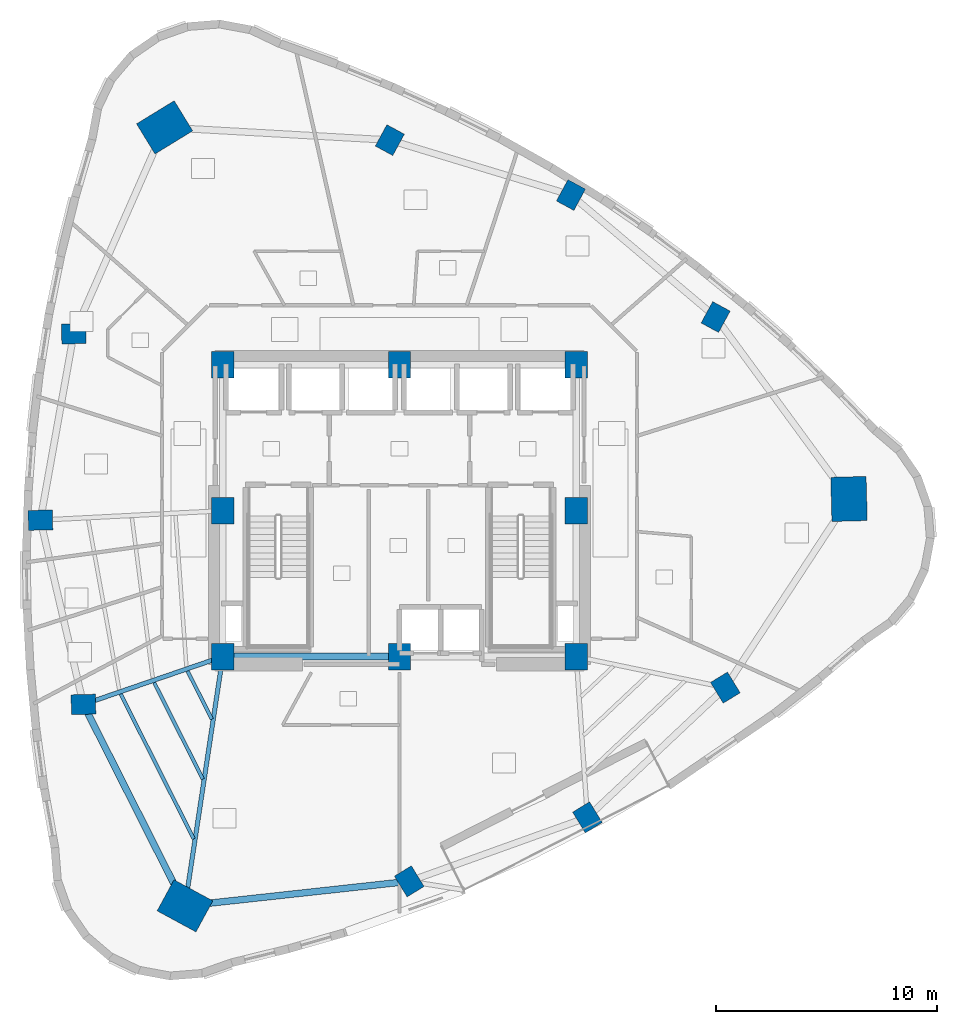
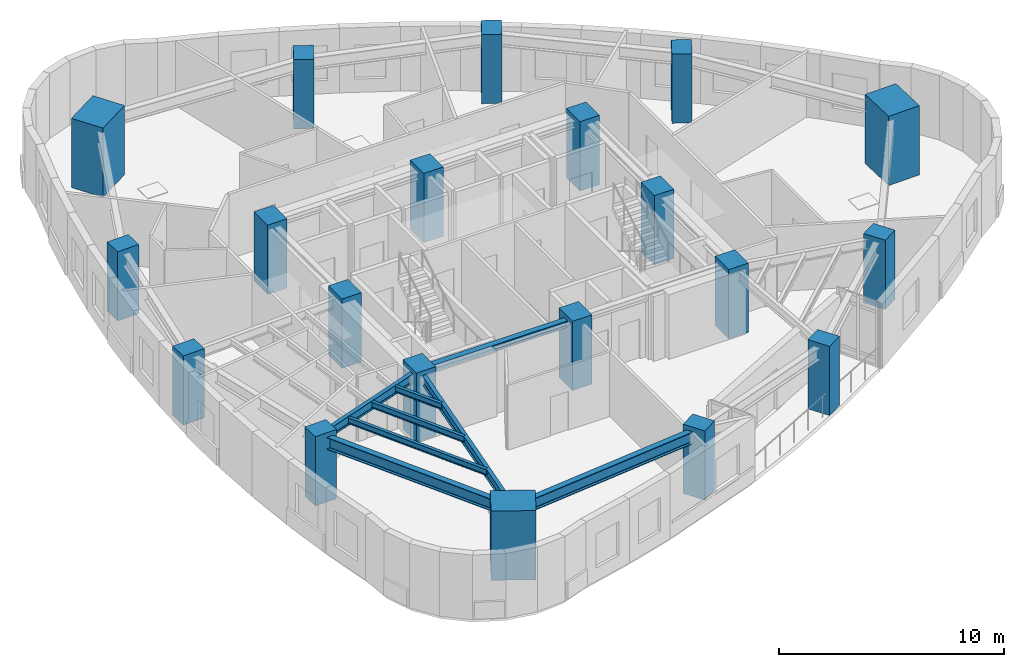
# One storey, part 1 of 11: 20 columns, 8 beams.
"""IFC4 building model written with IfcOpenShell, lengths in metres."""

from ifc_helpers import new_model, si_unit, direction, frame, origin, origin_2d, place, context, subcontext, project, spatial, rectangle, i_section, extrude, material, material_profile, profile_set, type_object, element, save


model = new_model("IFC4")

# Units and contexts
model_context = context("Model", 3, precision=1e-05, world=origin(), true_north=direction((0.0, 1.0)))
body_context = subcontext(model_context, "Body", "Model", "MODEL_VIEW")
ifc_project = project(units=[si_unit("LENGTHUNIT", "METRE"), si_unit("AREAUNIT", "SQUARE_METRE"), si_unit("VOLUMEUNIT", "CUBIC_METRE"), si_unit("PLANEANGLEUNIT", "RADIAN"), si_unit("MASSUNIT", "GRAM", prefix="KILO")], contexts=[model_context])

# Site, building, storey
site_placement = place(None, origin())
site = spatial("IfcSite", under=ifc_project, at=site_placement, CompositionType="ELEMENT")
building_placement = place(site_placement, origin())
building = spatial("IfcBuilding", under=site, at=building_placement, Name="Ndelora Gate Hotel", CompositionType="ELEMENT")
storey_placement = place(building_placement, frame((0.0, 0.0, 116.0)))
storey = spatial("IfcBuildingStorey", under=building, at=storey_placement, Name="L28", CompositionType="ELEMENT", Elevation=116.0)

# Columns
ifc_material_1 = material(Name="Concrete C60/75", Category="concrete")
ifc_material_profile_1 = material_profile(ifc_material_1, rectangle(XDim=1.0, YDim=1.199951171875, at=origin_2d()), Name="RC 1200x1000")
ifc_profile_set_1 = profile_set([ifc_material_profile_1], Name="Concrete C60/75")
column_type_1 = type_object("IfcColumnType", Name="COL-CC-MID", PredefinedType="COLUMN", material=ifc_profile_set_1)
for number, where, z_axis, x_axis, name in (
    (1, (-8.0, -6.60009765625, 0.0), (0.0, 0.0, 1.0), (1.0, 0.0, 0.0), "L28 Core Column CC1"),
    (2, (0.0, -6.60009765625, 0.0), (0.0, 0.0, 1.0), (1.0, 0.0, 0.0), "L28 Core Column CC2"),
    (3, (8.0, -6.60009765625, 0.0), (0.0, 0.0, 1.0), (1.0, 0.0, 0.0), "L28 Core Column CC3"),
    (4, (8.0, 0.0, 0.0), (0.0, 0.0, 1.0), (1.0, 0.0, 0.0), "L28 Core Column CC4"),
    (5, (8.0, 6.60009765625, 0.0), (0.0, 0.0, 1.0), (1.0, 0.0, 0.0), "L28 Core Column CC5"),
    (6, (0.0, 6.60009765625, 0.0), (0.0, 0.0, 1.0), (1.0, 0.0, 0.0), "L28 Core Column CC6"),
    (7, (-8.0, 6.60009765625, 0.0), (0.0, 0.0, 1.0), (1.0, 0.0, 0.0), "L28 Core Column CC7"),
    (8, (-8.0, 0.0, 0.0), (0.0, 0.0, 1.0), (1.0, 0.0, 0.0), "L28 Core Column CC8"),
):
    element("IfcColumn", number, at=place(storey_placement, frame(where, z_axis=z_axis, x_axis=x_axis)), inside=storey, type_object=column_type_1, Name=name, PredefinedType="COLUMN", context=body_context, shape_type="SweptSolid", body=[
        extrude(rectangle(XDim=1.0, YDim=1.199951171875, at=origin_2d()), origin(), (0.0, 0.0, 1.0), 3.75),
    ])
ifc_material_profile_2 = material_profile(ifc_material_1, rectangle(XDim=1.60009765625, YDim=2.0, at=origin_2d()), Name="RC 2000x1600")
ifc_profile_set_2 = profile_set([ifc_material_profile_2], Name="Concrete C60/75")
column_type_2 = type_object("IfcColumnType", Name="COL-MC-Z2", PredefinedType="COLUMN", material=ifc_profile_set_2)
for number, where, z_axis, x_axis, name in (
    (9, (-10.63330078125, 17.351806640625, 0.0), (0.0, 0.0, 1.0), (-0.522498564716, 0.852640164354, 0.0), "L28 Corner Mega-Column R1"),
    (10, (-9.71044921875, -17.884521484375, 0.0), (0.0, 0.0, 1.0), (0.47715876026, 0.878817112662, 0.0), "L28 Corner Mega-Column R5"),
    (11, (20.34375, 0.53271484375, 0.0), (0.0, 0.0, 1.0), (0.999657324976, 0.026176948308, 0.0), "L28 Corner Mega-Column R9"),
):
    element("IfcColumn", number, at=place(storey_placement, frame(where, z_axis=z_axis, x_axis=x_axis)), inside=storey, type_object=column_type_2, Name=name, PredefinedType="COLUMN", context=body_context, shape_type="SweptSolid", body=[
        extrude(rectangle(XDim=1.60009765625, YDim=2.0, at=origin_2d()), origin(), (0.0, 0.0, 1.0), 3.75),
    ])
ifc_material_profile_3 = material_profile(ifc_material_1, rectangle(XDim=0.89990234375, YDim=1.10009765625, at=origin_2d()), Name="RC 1100x900")
ifc_profile_set_3 = profile_set([ifc_material_profile_3], Name="Concrete C60/75")
column_type_3 = type_object("IfcColumnType", Name="COL-PT-Z2", PredefinedType="COLUMN", material=ifc_profile_set_3)
for number, where, z_axis, x_axis, name in (
    (12, (-14.74658203125, 8.006591796875, 0.0), (0.0, 0.0, 1.0), (-0.026176948308, 0.999657324976, 0.0), "L28 Perimeter Tube Column R2"),
    (13, (-16.25537109375, -0.42578125, 0.0), (0.0, 0.0, 1.0), (-0.026176948308, 0.999657324976, 0.0), "L28 Perimeter Tube Column R3"),
    (14, (-14.307373046875, -8.767578125, 0.0), (0.0, 0.0, 1.0), (-0.026176948308, 0.999657324976, 0.0), "L28 Perimeter Tube Column R4"),
    (15, (0.439208984375, -16.7744140625, 0.0), (0.0, 0.0, 1.0), (0.852640164354, 0.522498564716, 0.0), "L28 Perimeter Tube Column R6"),
    (16, (8.50439453125, -13.878173828125, 0.0), (0.0, 0.0, 1.0), (0.852640164354, 0.522498564716, 0.0), "L28 Perimeter Tube Column R7"),
    (17, (14.74658203125, -8.006591796875, 0.0), (0.0, 0.0, 1.0), (0.852640164354, 0.522498564716, 0.0), "L28 Perimeter Tube Column R8"),
    (18, (14.30712890625, 8.767333984375, 0.0), (0.0, 0.0, 1.0), (-0.878817112662, 0.47715876026, 0.0), "L28 Perimeter Tube Column R10"),
    (19, (7.759033203125, 14.290283203125, 0.0), (0.0, 0.0, 1.0), (-0.878817112662, 0.47715876026, 0.0), "L28 Perimeter Tube Column R11"),
    (20, (-0.439208984375, 16.7744140625, 0.0), (0.0, 0.0, 1.0), (-0.878817112662, 0.47715876026, 0.0), "L28 Perimeter Tube Column R12"),
):
    element("IfcColumn", number, at=place(storey_placement, frame(where, z_axis=z_axis, x_axis=x_axis)), inside=storey, type_object=column_type_3, Name=name, PredefinedType="COLUMN", context=body_context, shape_type="SweptSolid", body=[
        extrude(rectangle(XDim=0.89990234375, YDim=1.10009765625, at=origin_2d()), origin(), (0.0, 0.0, 1.0), 3.75),
    ])

# Beams
ifc_material_2 = material(Name="Steel S355", Category="steel")
ifc_material_profile_4 = material_profile(ifc_material_2, i_section(OverallWidth=0.300048828125, OverallDepth=0.360107421875, WebThickness=0.012451171875, FlangeThickness=0.0224609375, FilletRadius=0.027099609375, at=origin_2d()), Name="HEB 360")
ifc_profile_set_4 = profile_set([ifc_material_profile_4], Name="Steel S355")
beam_type_1 = type_object("IfcBeamType", Name="BM-CORE-360", PredefinedType="BEAM", material=ifc_profile_set_4)
beam_1_placement = place(storey_placement, frame((-8.0, -6.60009765625, 3.320068359375), z_axis=(1.0, 0.0, 0.0), x_axis=(0.0, 1.0, 0.0)))
element("IfcBeam", 21, at=beam_1_placement, inside=storey, type_object=beam_type_1, Name="L28 Core Tie Girder CC1-CC2", PredefinedType="BEAM", context=body_context, shape_type="SweptSolid", body=[
    extrude(i_section(OverallWidth=0.300048828125, OverallDepth=0.360107421875, WebThickness=0.012451171875, FlangeThickness=0.0224609375, FilletRadius=0.027099609375, at=origin_2d()), origin(), (0.0, 0.0, 1.0), 8.0),
])
ifc_material_profile_5 = material_profile(ifc_material_2, i_section(OverallWidth=0.159912109375, OverallDepth=0.330078125, WebThickness=0.007568359375, FlangeThickness=0.011474609375, FilletRadius=0.01806640625, at=origin_2d()), Name="IPE 330")
ifc_profile_set_5 = profile_set([ifc_material_profile_5], Name="Steel S355")
beam_type_2 = type_object("IfcBeamType", Name="BM-JST-330", PredefinedType="JOIST", material=ifc_profile_set_5)
beam_2_placement = place(storey_placement, frame((-9.59033203125, -7.26171875, 3.3349609375), z_axis=(0.450139260243, -0.892958367668, 0.0), x_axis=(0.892958367668, 0.450139260243, 0.0)))
element("IfcBeam", 22, at=beam_2_placement, inside=storey, type_object=beam_type_2, Name="L28 Secondary Composite Floor Joist IN-4", PredefinedType="JOIST", context=body_context, shape_type="SweptSolid", body=[
    extrude(i_section(OverallWidth=0.159912109375, OverallDepth=0.330078125, WebThickness=0.007568359375, FlangeThickness=0.011474609375, FilletRadius=0.01806640625, at=origin_2d()), origin(), (0.0, 0.0, 1.0), 2.4345703125),
])
beam_3_placement = place(storey_placement, frame((-11.10400390625, -7.781982421875, 3.3349609375), z_axis=(0.450189724408, -0.892932926953, 0.0), x_axis=(0.892932926953, 0.450189724408, 0.0)))
element("IfcBeam", 23, at=beam_3_placement, inside=storey, type_object=beam_type_2, Name="L28 Secondary Composite Floor Joist MID-4", PredefinedType="JOIST", context=body_context, shape_type="SweptSolid", body=[
    extrude(i_section(OverallWidth=0.159912109375, OverallDepth=0.330078125, WebThickness=0.007568359375, FlangeThickness=0.011474609375, FilletRadius=0.01806640625, at=origin_2d()), origin(), (0.0, 0.0, 1.0), 4.885009765625),
])
beam_4_placement = place(storey_placement, frame((-12.617919921875, -8.30224609375, 3.3349609375), z_axis=(0.45023300903, -0.892911102843, 0.0), x_axis=(0.892911102843, 0.45023300903, 0.0)))
element("IfcBeam", 24, at=beam_4_placement, inside=storey, type_object=beam_type_2, Name="L28 Secondary Composite Floor Joist OUT-4", PredefinedType="JOIST", context=body_context, shape_type="SweptSolid", body=[
    extrude(i_section(OverallWidth=0.159912109375, OverallDepth=0.330078125, WebThickness=0.007568359375, FlangeThickness=0.011474609375, FilletRadius=0.01806640625, at=origin_2d()), origin(), (0.0, 0.0, 1.0), 7.335693359375),
])
ifc_material_profile_6 = material_profile(ifc_material_2, i_section(OverallWidth=0.199951171875, OverallDepth=0.5, WebThickness=0.01025390625, FlangeThickness=0.01611328125, FilletRadius=0.02099609375, at=origin_2d()), Name="IPE 500")
ifc_profile_set_6 = profile_set([ifc_material_profile_6], Name="Steel S355")
beam_type_3 = type_object("IfcBeamType", Name="BM-RAD-500", PredefinedType="BEAM", material=ifc_profile_set_6)
beam_5_placement = place(storey_placement, frame((-8.0, -6.60009765625, 3.25), z_axis=(-0.945717893913, -0.324988715392, 0.0), x_axis=(0.324988715392, -0.945717893913, 0.0)))
element("IfcBeam", 25, at=beam_5_placement, inside=storey, type_object=beam_type_3, Name="L28 Radial Floor Girder 4", PredefinedType="BEAM", context=body_context, shape_type="SweptSolid", body=[
    extrude(i_section(OverallWidth=0.199951171875, OverallDepth=0.5, WebThickness=0.01025390625, FlangeThickness=0.01611328125, FilletRadius=0.02099609375, at=origin_2d()), origin(), (0.0, 0.0, 1.0), 6.66943359375),
])
beam_6_placement = place(storey_placement, frame((-8.0, -6.60009765625, 3.25), z_axis=(-0.149864309615, -0.988706573612, 0.0), x_axis=(0.988706573612, -0.149864309615, 0.0)))
element("IfcBeam", 26, at=beam_6_placement, inside=storey, type_object=beam_type_3, Name="L28 Radial Floor Girder 5", PredefinedType="BEAM", context=body_context, shape_type="SweptSolid", body=[
    extrude(i_section(OverallWidth=0.199951171875, OverallDepth=0.5, WebThickness=0.01025390625, FlangeThickness=0.01611328125, FilletRadius=0.02099609375, at=origin_2d()), origin(), (0.0, 0.0, 1.0), 11.413330078125),
])
ifc_material_profile_7 = material_profile(ifc_material_2, i_section(OverallWidth=0.300048828125, OverallDepth=0.64990234375, WebThickness=0.01611328125, FlangeThickness=0.031005859375, FilletRadius=0.027099609375, at=origin_2d()), Name="HEB 650")
ifc_profile_set_7 = profile_set([ifc_material_profile_7], Name="Steel S355")
beam_type_4 = type_object("IfcBeamType", Name="BM-RING-650", PredefinedType="SPANDREL", material=ifc_profile_set_7)
for number, where, z_axis, x_axis, name in (
    (27, (-14.307373046875, -8.767578125, 3.175048828125), (0.450223868811, -0.892915711561, 0.0), (0.892915711561, 0.450223868811, 0.0), "L28 Perimeter Spandrel Girder 4"),
    (28, (-9.71044921875, -17.884521484375, 3.175048828125), (0.994071812898, 0.108725483685, 0.0), (-0.108725483685, 0.994071812898, 0.0), "L28 Perimeter Spandrel Girder 5"),
):
    element("IfcBeam", number, at=place(storey_placement, frame(where, z_axis=z_axis, x_axis=x_axis)), inside=storey, type_object=beam_type_4, Name=name, PredefinedType="SPANDREL", context=body_context, shape_type="SweptSolid", body=[
        extrude(i_section(OverallWidth=0.300048828125, OverallDepth=0.64990234375, WebThickness=0.01611328125, FlangeThickness=0.031005859375, FilletRadius=0.027099609375, at=origin_2d()), origin(), (0.0, 0.0, 1.0), 10.210205078125),
    ])

save(model, "model.ifc")
